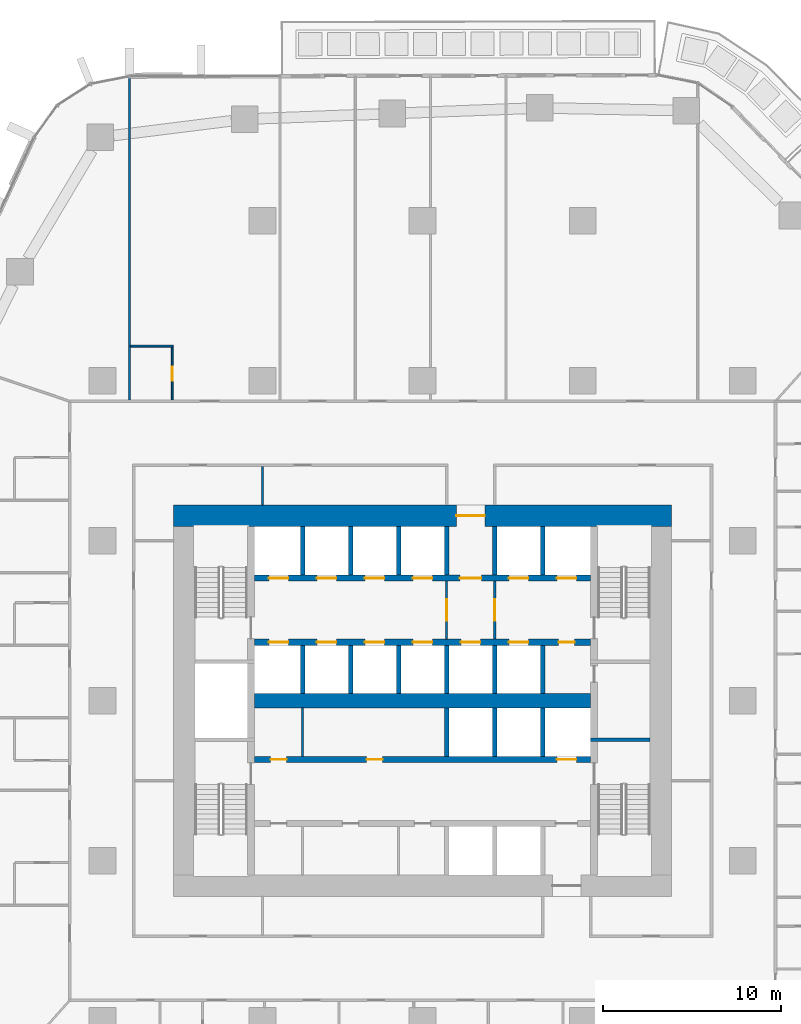
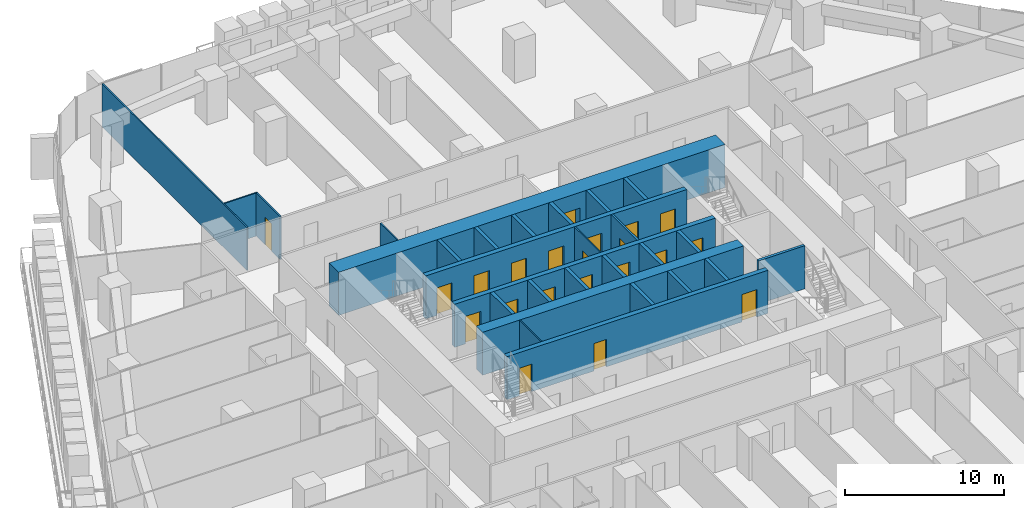
# One storey, part 16 of 27: 28 walls, 21 doors, 21 openings.
"""IFC4 building model written with IfcOpenShell, lengths in metres."""

from ifc_helpers import new_model, si_unit, direction, frame, frame_2d, origin, place, context, subcontext, project, spatial, rectangle, extrude, material, layer, layer_set, type_object, element, fill, save


model = new_model("IFC4")

# Units and contexts
model_context = context("Model", 3, precision=1e-05, world=origin(), true_north=direction((0.0, 1.0)))
body_context = subcontext(model_context, "Body", "Model", "MODEL_VIEW")
ifc_project = project(units=[si_unit("LENGTHUNIT", "METRE"), si_unit("AREAUNIT", "SQUARE_METRE"), si_unit("VOLUMEUNIT", "CUBIC_METRE"), si_unit("PLANEANGLEUNIT", "RADIAN"), si_unit("MASSUNIT", "GRAM", prefix="KILO")], contexts=[model_context])

# Site, building, storey
site_placement = place(None, origin())
site = spatial("IfcSite", under=ifc_project, at=site_placement, CompositionType="ELEMENT")
building_placement = place(site_placement, origin())
building = spatial("IfcBuilding", under=site, at=building_placement, Name="Dongbaek Canopy Tower", CompositionType="ELEMENT")
storey_placement = place(building_placement, frame((0.0, 0.0, 58.800048828125)))
storey = spatial("IfcBuildingStorey", under=building, at=storey_placement, Name="L10", CompositionType="ELEMENT", Elevation=58.800048828125)

# Wall
ifc_material_1 = material(Name="Concrete C60/75", Category="concrete")
ifc_layer_1 = layer(ifc_material_1, 0.800048828125)
ifc_layer_set_1 = layer_set([ifc_layer_1], Name="Core central wall 800 Concrete C60/75")
wall_type_1 = type_object("IfcWallType", Name="Core central wall 800 Concrete C60/75", PredefinedType="SHEAR", material=ifc_layer_set_1)
wall_1_placement = place(storey_placement, frame((-9.449951171875, 0.0, 0.0), z_axis=(0.0, 0.0, 1.0), x_axis=(1.0, 0.0, 0.0)))
element("IfcWall", 1, at=wall_1_placement, inside=storey, type_object=wall_type_1, Name="Core wall", PredefinedType="SHEAR", context=body_context, shape_type="SweptSolid", body=[
    extrude(rectangle(XDim=18.89990234375, YDim=0.800048828125, at=frame_2d((9.449951171875, 0.0))), origin(), (0.0, 0.0, 1.0), 3.300048828125),
])

# Wall, openings, doors
ifc_material_2 = material(Name="Concrete C60/75", Category="concrete")
ifc_layer_2 = layer(ifc_material_2, 0.35009765625)
ifc_layer_set_2 = layer_set([ifc_layer_2], Name="Core lobby wall 350 Concrete C60/75")
wall_type_2 = type_object("IfcWallType", Name="Core lobby wall 350 Concrete C60/75", PredefinedType="SHEAR", material=ifc_layer_set_2)
wall_2_placement = place(storey_placement, frame((-9.449951171875, 6.89990234375, 0.0), z_axis=(0.0, 0.0, 1.0), x_axis=(1.0, 0.0, 0.0)))
wall_2 = element("IfcWall", 2, at=wall_2_placement, inside=storey, type_object=wall_type_2, Name="Core wall", PredefinedType="SHEAR", context=body_context, shape_type="SweptSolid", body=[
    extrude(rectangle(XDim=18.89990234375, YDim=0.35009765625, at=frame_2d((9.449951171875, 0.0))), origin(), (0.0, 0.0, 1.0), 3.300048828125),
])
opening_1_placement = place(wall_2_placement, frame((0.800048828125, 0.0, 0.0)))
opening_1 = element("IfcOpeningElement", 3, at=opening_1_placement, cuts=wall_2, Name="Opening L10-D045", PredefinedType="OPENING", context=body_context, shape_type="SweptSolid", body=[
    extrude(rectangle(XDim=1.10009765625, YDim=2.10009765625, at=frame_2d((0.550048828125, 1.050048828125))), frame((0.0, 0.18505859375, 0.0), z_axis=(0.0, -1.0, 0.0), x_axis=(1.0, 0.0, 0.0)), (0.0, 0.0, 1.0), 0.3701171875),
])
opening_2_placement = place(wall_2_placement, frame((3.5, 0.0, 0.0)))
opening_2 = element("IfcOpeningElement", 4, at=opening_2_placement, cuts=wall_2, Name="Opening L10-D046", PredefinedType="OPENING", context=body_context, shape_type="SweptSolid", body=[
    extrude(rectangle(XDim=1.10009765625, YDim=2.10009765625, at=frame_2d((0.550048828125, 1.050048828125))), frame((0.0, 0.18505859375, 0.0), z_axis=(0.0, -1.0, 0.0), x_axis=(1.0, 0.0, 0.0)), (0.0, 0.0, 1.0), 0.3701171875),
])
opening_3_placement = place(wall_2_placement, frame((6.199951171875, 0.0, 0.0)))
opening_3 = element("IfcOpeningElement", 5, at=opening_3_placement, cuts=wall_2, Name="Opening L10-D047", PredefinedType="OPENING", context=body_context, shape_type="SweptSolid", body=[
    extrude(rectangle(XDim=1.10009765625, YDim=2.10009765625, at=frame_2d((0.550048828125, 1.050048828125))), frame((0.0, 0.18505859375, 0.0), z_axis=(0.0, -1.0, 0.0), x_axis=(1.0, 0.0, 0.0)), (0.0, 0.0, 1.0), 0.3701171875),
])
opening_4_placement = place(wall_2_placement, frame((8.89990234375, 0.0, 0.0)))
opening_4 = element("IfcOpeningElement", 6, at=opening_4_placement, cuts=wall_2, Name="Opening L10-D048", PredefinedType="OPENING", context=body_context, shape_type="SweptSolid", body=[
    extrude(rectangle(XDim=1.10009765625, YDim=2.10009765625, at=frame_2d((0.550048828125, 1.050048828125))), frame((0.0, 0.18505859375, 0.0), z_axis=(0.0, -1.0, 0.0), x_axis=(1.0, 0.0, 0.0)), (0.0, 0.0, 1.0), 0.3701171875),
])
opening_5_placement = place(wall_2_placement, frame((11.550048828125, 0.0, 0.0)))
opening_5 = element("IfcOpeningElement", 7, at=opening_5_placement, cuts=wall_2, Name="Opening L10-D050", PredefinedType="OPENING", context=body_context, shape_type="SweptSolid", body=[
    extrude(rectangle(XDim=1.199951171875, YDim=2.10009765625, at=frame_2d((0.60009765625, 1.050048828125))), frame((0.0, 0.18505859375, 0.0), z_axis=(0.0, -1.0, 0.0), x_axis=(1.0, 0.0, 0.0)), (0.0, 0.0, 1.0), 0.3701171875),
])
opening_6_placement = place(wall_2_placement, frame((14.300048828125, 0.0, 0.0)))
opening_6 = element("IfcOpeningElement", 8, at=opening_6_placement, cuts=wall_2, Name="Opening L10-D051", PredefinedType="OPENING", context=body_context, shape_type="SweptSolid", body=[
    extrude(rectangle(XDim=1.10009765625, YDim=2.10009765625, at=frame_2d((0.550048828125, 1.050048828125))), frame((0.0, 0.18505859375, 0.0), z_axis=(0.0, -1.0, 0.0), x_axis=(1.0, 0.0, 0.0)), (0.0, 0.0, 1.0), 0.3701171875),
])
opening_7_placement = place(wall_2_placement, frame((17.0, 0.0, 0.0)))
opening_7 = element("IfcOpeningElement", 9, at=opening_7_placement, cuts=wall_2, Name="Opening L10-D052", PredefinedType="OPENING", context=body_context, shape_type="SweptSolid", body=[
    extrude(rectangle(XDim=1.10009765625, YDim=2.10009765625, at=frame_2d((0.550048828125, 1.050048828125))), frame((0.0, 0.18505859375, 0.0), z_axis=(0.0, -1.0, 0.0), x_axis=(1.0, 0.0, 0.0)), (0.0, 0.0, 1.0), 0.3701171875),
])
ifc_material_3 = material(Name="Steel", Category="steel")
door_type_1 = type_object("IfcDoorType", Name="Fire lobby door 1200 x 2100", OperationType="SINGLE_SWING_LEFT", PredefinedType="DOOR", material=ifc_material_3)
door_1_placement = place(opening_5_placement, origin())
door_1 = element("IfcDoor", 10, at=door_1_placement, inside=storey, type_object=door_type_1, Name="Door L10-D050", OperationType="SINGLE_SWING_LEFT", OverallHeight=2.10009765625, OverallWidth=1.199951171875, PredefinedType="DOOR", context=body_context, shape_type="SweptSolid", body=[
    extrude(rectangle(XDim=1.199951171875, YDim=2.10009765625, at=frame_2d((0.60009765625, 1.050048828125))), frame((0.0, 0.02490234375, 0.0), z_axis=(0.0, -1.0, 0.0), x_axis=(1.0, 0.0, 0.0)), (0.0, 0.0, 1.0), 0.050048828125),
])
fill(opening_5, door_1)
ifc_material_4 = material(Name="Stainless steel", Category="steel")
door_type_2 = type_object("IfcDoorType", Name="Lift landing door 1100 x 2100", OperationType="DOUBLE_DOOR_SLIDING", PredefinedType="DOOR", material=ifc_material_4)
door_2_placement = place(opening_1_placement, origin())
door_2 = element("IfcDoor", 11, at=door_2_placement, inside=storey, type_object=door_type_2, Name="Landing door LR1", OperationType="DOUBLE_DOOR_SLIDING", OverallHeight=2.10009765625, OverallWidth=1.10009765625, PredefinedType="DOOR", context=body_context, shape_type="SweptSolid", body=[
    extrude(rectangle(XDim=1.10009765625, YDim=2.10009765625, at=frame_2d((0.550048828125, 1.050048828125))), frame((0.0, 0.02490234375, 0.0), z_axis=(0.0, -1.0, 0.0), x_axis=(1.0, 0.0, 0.0)), (0.0, 0.0, 1.0), 0.050048828125),
])
fill(opening_1, door_2)
door_3_placement = place(opening_2_placement, origin())
door_3 = element("IfcDoor", 12, at=door_3_placement, inside=storey, type_object=door_type_2, Name="Landing door LR2", OperationType="DOUBLE_DOOR_SLIDING", OverallHeight=2.10009765625, OverallWidth=1.10009765625, PredefinedType="DOOR", context=body_context, shape_type="SweptSolid", body=[
    extrude(rectangle(XDim=1.10009765625, YDim=2.10009765625, at=frame_2d((0.550048828125, 1.050048828125))), frame((0.0, 0.02490234375, 0.0), z_axis=(0.0, -1.0, 0.0), x_axis=(1.0, 0.0, 0.0)), (0.0, 0.0, 1.0), 0.050048828125),
])
fill(opening_2, door_3)
door_4_placement = place(opening_3_placement, origin())
door_4 = element("IfcDoor", 13, at=door_4_placement, inside=storey, type_object=door_type_2, Name="Landing door LR3", OperationType="DOUBLE_DOOR_SLIDING", OverallHeight=2.10009765625, OverallWidth=1.10009765625, PredefinedType="DOOR", context=body_context, shape_type="SweptSolid", body=[
    extrude(rectangle(XDim=1.10009765625, YDim=2.10009765625, at=frame_2d((0.550048828125, 1.050048828125))), frame((0.0, 0.02490234375, 0.0), z_axis=(0.0, -1.0, 0.0), x_axis=(1.0, 0.0, 0.0)), (0.0, 0.0, 1.0), 0.050048828125),
])
fill(opening_3, door_4)
door_5_placement = place(opening_4_placement, origin())
door_5 = element("IfcDoor", 14, at=door_5_placement, inside=storey, type_object=door_type_2, Name="Landing door LR4", OperationType="DOUBLE_DOOR_SLIDING", OverallHeight=2.10009765625, OverallWidth=1.10009765625, PredefinedType="DOOR", context=body_context, shape_type="SweptSolid", body=[
    extrude(rectangle(XDim=1.10009765625, YDim=2.10009765625, at=frame_2d((0.550048828125, 1.050048828125))), frame((0.0, 0.02490234375, 0.0), z_axis=(0.0, -1.0, 0.0), x_axis=(1.0, 0.0, 0.0)), (0.0, 0.0, 1.0), 0.050048828125),
])
fill(opening_4, door_5)
door_6_placement = place(opening_6_placement, origin())
door_6 = element("IfcDoor", 15, at=door_6_placement, inside=storey, type_object=door_type_2, Name="Landing door FF1", OperationType="DOUBLE_DOOR_SLIDING", OverallHeight=2.10009765625, OverallWidth=1.10009765625, PredefinedType="DOOR", context=body_context, shape_type="SweptSolid", body=[
    extrude(rectangle(XDim=1.10009765625, YDim=2.10009765625, at=frame_2d((0.550048828125, 1.050048828125))), frame((0.0, 0.02490234375, 0.0), z_axis=(0.0, -1.0, 0.0), x_axis=(1.0, 0.0, 0.0)), (0.0, 0.0, 1.0), 0.050048828125),
])
fill(opening_6, door_6)
door_7_placement = place(opening_7_placement, origin())
door_7 = element("IfcDoor", 16, at=door_7_placement, inside=storey, type_object=door_type_2, Name="Landing door FF2", OperationType="DOUBLE_DOOR_SLIDING", OverallHeight=2.10009765625, OverallWidth=1.10009765625, PredefinedType="DOOR", context=body_context, shape_type="SweptSolid", body=[
    extrude(rectangle(XDim=1.10009765625, YDim=2.10009765625, at=frame_2d((0.550048828125, 1.050048828125))), frame((0.0, 0.02490234375, 0.0), z_axis=(0.0, -1.0, 0.0), x_axis=(1.0, 0.0, 0.0)), (0.0, 0.0, 1.0), 0.050048828125),
])
fill(opening_7, door_7)

wall_3_placement = place(storey_placement, frame((9.449951171875, 3.300048828125, 0.0), z_axis=(0.0, 0.0, 1.0), x_axis=(-1.0, 0.0, 0.0)))
wall_3 = element("IfcWall", 17, at=wall_3_placement, inside=storey, type_object=wall_type_2, Name="Core wall", PredefinedType="SHEAR", context=body_context, shape_type="SweptSolid", body=[
    extrude(rectangle(XDim=18.89990234375, YDim=0.35009765625, at=frame_2d((9.449951171875, 0.0))), origin(), (0.0, 0.0, 1.0), 3.300048828125),
])
opening_8_placement = place(wall_3_placement, frame((17.0, 0.0, 0.0)))
opening_8 = element("IfcOpeningElement", 18, at=opening_8_placement, cuts=wall_3, Name="Opening L10-D053", PredefinedType="OPENING", context=body_context, shape_type="SweptSolid", body=[
    extrude(rectangle(XDim=1.10009765625, YDim=2.10009765625, at=frame_2d((0.550048828125, 1.050048828125))), frame((0.0, 0.18505859375, 0.0), z_axis=(0.0, -1.0, 0.0), x_axis=(1.0, 0.0, 0.0)), (0.0, 0.0, 1.0), 0.3701171875),
])
opening_9_placement = place(wall_3_placement, frame((14.300048828125, 0.0, 0.0)))
opening_9 = element("IfcOpeningElement", 19, at=opening_9_placement, cuts=wall_3, Name="Opening L10-D054", PredefinedType="OPENING", context=body_context, shape_type="SweptSolid", body=[
    extrude(rectangle(XDim=1.10009765625, YDim=2.10009765625, at=frame_2d((0.550048828125, 1.050048828125))), frame((0.0, 0.18505859375, 0.0), z_axis=(0.0, -1.0, 0.0), x_axis=(1.0, 0.0, 0.0)), (0.0, 0.0, 1.0), 0.3701171875),
])
opening_10_placement = place(wall_3_placement, frame((11.60009765625, 0.0, 0.0)))
opening_10 = element("IfcOpeningElement", 20, at=opening_10_placement, cuts=wall_3, Name="Opening L10-D055", PredefinedType="OPENING", context=body_context, shape_type="SweptSolid", body=[
    extrude(rectangle(XDim=1.10009765625, YDim=2.10009765625, at=frame_2d((0.550048828125, 1.050048828125))), frame((0.0, 0.18505859375, 0.0), z_axis=(0.0, -1.0, 0.0), x_axis=(1.0, 0.0, 0.0)), (0.0, 0.0, 1.0), 0.3701171875),
])
opening_11_placement = place(wall_3_placement, frame((8.89990234375, 0.0, 0.0)))
opening_11 = element("IfcOpeningElement", 21, at=opening_11_placement, cuts=wall_3, Name="Opening L10-D056", PredefinedType="OPENING", context=body_context, shape_type="SweptSolid", body=[
    extrude(rectangle(XDim=1.10009765625, YDim=2.10009765625, at=frame_2d((0.550048828125, 1.050048828125))), frame((0.0, 0.18505859375, 0.0), z_axis=(0.0, -1.0, 0.0), x_axis=(1.0, 0.0, 0.0)), (0.0, 0.0, 1.0), 0.3701171875),
])
opening_12_placement = place(wall_3_placement, frame((6.199951171875, 0.0, 0.0)))
opening_12 = element("IfcOpeningElement", 22, at=opening_12_placement, cuts=wall_3, Name="Opening L10-D057", PredefinedType="OPENING", context=body_context, shape_type="SweptSolid", body=[
    extrude(rectangle(XDim=1.10009765625, YDim=2.10009765625, at=frame_2d((0.550048828125, 1.050048828125))), frame((0.0, 0.18505859375, 0.0), z_axis=(0.0, -1.0, 0.0), x_axis=(1.0, 0.0, 0.0)), (0.0, 0.0, 1.0), 0.3701171875),
])
opening_13_placement = place(wall_3_placement, frame((3.5, 0.0, 0.0)))
opening_13 = element("IfcOpeningElement", 23, at=opening_13_placement, cuts=wall_3, Name="Opening L10-D058", PredefinedType="OPENING", context=body_context, shape_type="SweptSolid", body=[
    extrude(rectangle(XDim=1.10009765625, YDim=2.10009765625, at=frame_2d((0.550048828125, 1.050048828125))), frame((0.0, 0.18505859375, 0.0), z_axis=(0.0, -1.0, 0.0), x_axis=(1.0, 0.0, 0.0)), (0.0, 0.0, 1.0), 0.3701171875),
])
opening_14_placement = place(wall_3_placement, frame((0.89990234375, 0.0, 0.0)))
opening_14 = element("IfcOpeningElement", 24, at=opening_14_placement, cuts=wall_3, Name="Opening L10-D059", PredefinedType="OPENING", context=body_context, shape_type="SweptSolid", body=[
    extrude(rectangle(XDim=0.89990234375, YDim=2.10009765625, at=frame_2d((0.449951171875, 1.050048828125))), frame((0.0, 0.18505859375, 0.0), z_axis=(0.0, -1.0, 0.0), x_axis=(1.0, 0.0, 0.0)), (0.0, 0.0, 1.0), 0.3701171875),
])
ifc_material_5 = material(Name="Steel", Category="steel")
door_type_3 = type_object("IfcDoorType", Name="Core room door 900 x 2100", OperationType="SINGLE_SWING_LEFT", PredefinedType="DOOR", material=ifc_material_5)
door_8_placement = place(opening_14_placement, origin())
door_8 = element("IfcDoor", 25, at=door_8_placement, inside=storey, type_object=door_type_3, Name="Door L10-D059", OperationType="SINGLE_SWING_LEFT", OverallHeight=2.10009765625, OverallWidth=0.89990234375, PredefinedType="DOOR", context=body_context, shape_type="SweptSolid", body=[
    extrude(rectangle(XDim=0.89990234375, YDim=2.10009765625, at=frame_2d((0.449951171875, 1.050048828125))), frame((0.0, 0.02490234375, 0.0), z_axis=(0.0, -1.0, 0.0), x_axis=(1.0, 0.0, 0.0)), (0.0, 0.0, 1.0), 0.050048828125),
])
fill(opening_14, door_8)
door_9_placement = place(opening_8_placement, origin())
door_9 = element("IfcDoor", 26, at=door_9_placement, inside=storey, type_object=door_type_2, Name="Landing door LR5", OperationType="DOUBLE_DOOR_SLIDING", OverallHeight=2.10009765625, OverallWidth=1.10009765625, PredefinedType="DOOR", context=body_context, shape_type="SweptSolid", body=[
    extrude(rectangle(XDim=1.10009765625, YDim=2.10009765625, at=frame_2d((0.550048828125, 1.050048828125))), frame((0.0, 0.02490234375, 0.0), z_axis=(0.0, -1.0, 0.0), x_axis=(1.0, 0.0, 0.0)), (0.0, 0.0, 1.0), 0.050048828125),
])
fill(opening_8, door_9)
door_10_placement = place(opening_9_placement, origin())
door_10 = element("IfcDoor", 27, at=door_10_placement, inside=storey, type_object=door_type_2, Name="Landing door LR6", OperationType="DOUBLE_DOOR_SLIDING", OverallHeight=2.10009765625, OverallWidth=1.10009765625, PredefinedType="DOOR", context=body_context, shape_type="SweptSolid", body=[
    extrude(rectangle(XDim=1.10009765625, YDim=2.10009765625, at=frame_2d((0.550048828125, 1.050048828125))), frame((0.0, 0.02490234375, 0.0), z_axis=(0.0, -1.0, 0.0), x_axis=(1.0, 0.0, 0.0)), (0.0, 0.0, 1.0), 0.050048828125),
])
fill(opening_9, door_10)
door_11_placement = place(opening_10_placement, origin())
door_11 = element("IfcDoor", 28, at=door_11_placement, inside=storey, type_object=door_type_2, Name="Landing door LR7", OperationType="DOUBLE_DOOR_SLIDING", OverallHeight=2.10009765625, OverallWidth=1.10009765625, PredefinedType="DOOR", context=body_context, shape_type="SweptSolid", body=[
    extrude(rectangle(XDim=1.10009765625, YDim=2.10009765625, at=frame_2d((0.550048828125, 1.050048828125))), frame((0.0, 0.02490234375, 0.0), z_axis=(0.0, -1.0, 0.0), x_axis=(1.0, 0.0, 0.0)), (0.0, 0.0, 1.0), 0.050048828125),
])
fill(opening_10, door_11)
door_12_placement = place(opening_11_placement, origin())
door_12 = element("IfcDoor", 29, at=door_12_placement, inside=storey, type_object=door_type_2, Name="Landing door LR8", OperationType="DOUBLE_DOOR_SLIDING", OverallHeight=2.10009765625, OverallWidth=1.10009765625, PredefinedType="DOOR", context=body_context, shape_type="SweptSolid", body=[
    extrude(rectangle(XDim=1.10009765625, YDim=2.10009765625, at=frame_2d((0.550048828125, 1.050048828125))), frame((0.0, 0.02490234375, 0.0), z_axis=(0.0, -1.0, 0.0), x_axis=(1.0, 0.0, 0.0)), (0.0, 0.0, 1.0), 0.050048828125),
])
fill(opening_11, door_12)
door_13_placement = place(opening_12_placement, origin())
door_13 = element("IfcDoor", 30, at=door_13_placement, inside=storey, type_object=door_type_2, Name="Landing door SV1", OperationType="DOUBLE_DOOR_SLIDING", OverallHeight=2.10009765625, OverallWidth=1.10009765625, PredefinedType="DOOR", context=body_context, shape_type="SweptSolid", body=[
    extrude(rectangle(XDim=1.10009765625, YDim=2.10009765625, at=frame_2d((0.550048828125, 1.050048828125))), frame((0.0, 0.02490234375, 0.0), z_axis=(0.0, -1.0, 0.0), x_axis=(1.0, 0.0, 0.0)), (0.0, 0.0, 1.0), 0.050048828125),
])
fill(opening_12, door_13)
door_14_placement = place(opening_13_placement, origin())
door_14 = element("IfcDoor", 31, at=door_14_placement, inside=storey, type_object=door_type_2, Name="Landing door FF3", OperationType="DOUBLE_DOOR_SLIDING", OverallHeight=2.10009765625, OverallWidth=1.10009765625, PredefinedType="DOOR", context=body_context, shape_type="SweptSolid", body=[
    extrude(rectangle(XDim=1.10009765625, YDim=2.10009765625, at=frame_2d((0.550048828125, 1.050048828125))), frame((0.0, 0.02490234375, 0.0), z_axis=(0.0, -1.0, 0.0), x_axis=(1.0, 0.0, 0.0)), (0.0, 0.0, 1.0), 0.050048828125),
])
fill(opening_13, door_14)

wall_4_placement = place(storey_placement, frame((-9.449951171875, -3.300048828125, 0.0), z_axis=(0.0, 0.0, 1.0), x_axis=(1.0, 0.0, 0.0)))
wall_4 = element("IfcWall", 32, at=wall_4_placement, inside=storey, type_object=wall_type_2, Name="Core wall", PredefinedType="SHEAR", context=body_context, shape_type="SweptSolid", body=[
    extrude(rectangle(XDim=18.89990234375, YDim=0.35009765625, at=frame_2d((9.449951171875, 0.0))), origin(), (0.0, 0.0, 1.0), 3.300048828125),
])
opening_15_placement = place(wall_4_placement, frame((17.0, 0.0, 0.0)))
opening_15 = element("IfcOpeningElement", 33, at=opening_15_placement, cuts=wall_4, Name="Opening L10-D060", PredefinedType="OPENING", context=body_context, shape_type="SweptSolid", body=[
    extrude(rectangle(XDim=1.10009765625, YDim=2.10009765625, at=frame_2d((0.550048828125, 1.050048828125))), frame((0.0, 0.18505859375, 0.0), z_axis=(0.0, -1.0, 0.0), x_axis=(1.0, 0.0, 0.0)), (0.0, 0.0, 1.0), 0.3701171875),
])
opening_16_placement = place(wall_4_placement, frame((0.89990234375, 0.0, 0.0)))
opening_16 = element("IfcOpeningElement", 34, at=opening_16_placement, cuts=wall_4, Name="Opening L10-D063", PredefinedType="OPENING", context=body_context, shape_type="SweptSolid", body=[
    extrude(rectangle(XDim=0.89990234375, YDim=2.10009765625, at=frame_2d((0.449951171875, 1.050048828125))), frame((0.0, 0.18505859375, 0.0), z_axis=(0.0, -1.0, 0.0), x_axis=(1.0, 0.0, 0.0)), (0.0, 0.0, 1.0), 0.3701171875),
])
opening_17_placement = place(wall_4_placement, frame((6.300048828125, 0.0, 0.0)))
opening_17 = element("IfcOpeningElement", 35, at=opening_17_placement, cuts=wall_4, Name="Opening L10-D064", PredefinedType="OPENING", context=body_context, shape_type="SweptSolid", body=[
    extrude(rectangle(XDim=0.89990234375, YDim=2.10009765625, at=frame_2d((0.449951171875, 1.050048828125))), frame((0.0, 0.18505859375, 0.0), z_axis=(0.0, -1.0, 0.0), x_axis=(1.0, 0.0, 0.0)), (0.0, 0.0, 1.0), 0.3701171875),
])
door_15_placement = place(opening_16_placement, origin())
door_15 = element("IfcDoor", 36, at=door_15_placement, inside=storey, type_object=door_type_3, Name="Door L10-D063", OperationType="SINGLE_SWING_RIGHT", OverallHeight=2.10009765625, OverallWidth=0.89990234375, PredefinedType="DOOR", context=body_context, shape_type="SweptSolid", body=[
    extrude(rectangle(XDim=0.89990234375, YDim=2.10009765625, at=frame_2d((0.449951171875, 1.050048828125))), frame((0.0, 0.02490234375, 0.0), z_axis=(0.0, -1.0, 0.0), x_axis=(1.0, 0.0, 0.0)), (0.0, 0.0, 1.0), 0.050048828125),
])
fill(opening_16, door_15)
door_16_placement = place(opening_17_placement, origin())
door_16 = element("IfcDoor", 37, at=door_16_placement, inside=storey, type_object=door_type_3, Name="Door L10-D064", OperationType="SINGLE_SWING_LEFT", OverallHeight=2.10009765625, OverallWidth=0.89990234375, PredefinedType="DOOR", context=body_context, shape_type="SweptSolid", body=[
    extrude(rectangle(XDim=0.89990234375, YDim=2.10009765625, at=frame_2d((0.449951171875, 1.050048828125))), frame((0.0, 0.02490234375, 0.0), z_axis=(0.0, -1.0, 0.0), x_axis=(1.0, 0.0, 0.0)), (0.0, 0.0, 1.0), 0.050048828125),
])
fill(opening_17, door_16)
door_17_placement = place(opening_15_placement, origin())
door_17 = element("IfcDoor", 38, at=door_17_placement, inside=storey, type_object=door_type_2, Name="Landing door SV2", OperationType="DOUBLE_DOOR_SLIDING", OverallHeight=2.10009765625, OverallWidth=1.10009765625, PredefinedType="DOOR", context=body_context, shape_type="SweptSolid", body=[
    extrude(rectangle(XDim=1.10009765625, YDim=2.10009765625, at=frame_2d((0.550048828125, 1.050048828125))), frame((0.0, 0.02490234375, 0.0), z_axis=(0.0, -1.0, 0.0), x_axis=(1.0, 0.0, 0.0)), (0.0, 0.0, 1.0), 0.050048828125),
])
fill(opening_15, door_17)

# Wall, opening, door
ifc_material_6 = material(Name="Concrete C60/75", Category="concrete")
ifc_layer_3 = layer(ifc_material_6, 1.199951171875)
ifc_layer_set_3 = layer_set([ifc_layer_3], Name="Core outer wall 1200 Concrete C60/75")
wall_type_3 = type_object("IfcWallType", Name="Core outer wall 1200 Concrete C60/75", PredefinedType="SHEAR", material=ifc_layer_set_3)
wall_5_placement = place(storey_placement, frame((-14.0, 10.39990234375, 0.0), z_axis=(0.0, 0.0, 1.0), x_axis=(1.0, 0.0, 0.0)))
wall_5 = element("IfcWall", 39, at=wall_5_placement, inside=storey, type_object=wall_type_3, Name="Core wall", PredefinedType="SHEAR", context=body_context, shape_type="SweptSolid", body=[
    extrude(rectangle(XDim=28.0, YDim=1.199951171875, at=frame_2d((14.0, 0.0))), origin(), (0.0, 0.0, 1.0), 3.300048828125),
])
opening_18_placement = place(wall_5_placement, frame((15.89990234375, 0.0, 0.0)))
opening_18 = element("IfcOpeningElement", 40, at=opening_18_placement, cuts=wall_5, Name="Opening L10-D049", PredefinedType="OPENING", context=body_context, shape_type="SweptSolid", body=[
    extrude(rectangle(XDim=1.60009765625, YDim=2.10009765625, at=frame_2d((0.800048828125, 1.050048828125))), frame((0.0, 0.60986328125, 0.0), z_axis=(0.0, -1.0, 0.0), x_axis=(1.0, 0.0, 0.0)), (0.0, 0.0, 1.0), 1.219970703125),
])
ifc_material_7 = material(Name="Steel", Category="steel")
door_type_4 = type_object("IfcDoorType", Name="Core exit door 1600 x 2100", OperationType="DOUBLE_DOOR_SINGLE_SWING", PredefinedType="DOOR", material=ifc_material_7)
door_18_placement = place(opening_18_placement, origin())
door_18 = element("IfcDoor", 41, at=door_18_placement, inside=storey, type_object=door_type_4, Name="Core exit door", OperationType="DOUBLE_DOOR_SINGLE_SWING", OverallHeight=2.10009765625, OverallWidth=1.60009765625, PredefinedType="DOOR", context=body_context, shape_type="SweptSolid", body=[
    extrude(rectangle(XDim=1.60009765625, YDim=2.10009765625, at=frame_2d((0.800048828125, 1.050048828125))), frame((0.0, 0.02490234375, 0.0), z_axis=(0.0, -1.0, 0.0), x_axis=(1.0, 0.0, 0.0)), (0.0, 0.0, 1.0), 0.050048828125),
])
fill(opening_18, door_18)

ifc_material_8 = material(Name="Gypsum board partition, steel stud, 2 x 15 mm fire board", Category="steel")
ifc_layer_4 = layer(ifc_material_8, 0.14990234375)
ifc_layer_set_4 = layer_set([ifc_layer_4], Name="Fire-rated partition 150 gypsum board")
wall_type_4 = type_object("IfcWallType", Name="Fire-rated partition 150 gypsum board", PredefinedType="PARTITIONING", material=ifc_layer_set_4)
wall_6_placement = place(storey_placement, frame((4.050048828125, 6.72509765625, 0.0), z_axis=(0.0, 0.0, 1.0), x_axis=(0.0, -1.0, 0.0)))
wall_6 = element("IfcWall", 42, at=wall_6_placement, inside=storey, type_object=wall_type_4, Name="Fire lobby partition", PredefinedType="PARTITIONING", context=body_context, shape_type="SweptSolid", body=[
    extrude(rectangle(XDim=3.25, YDim=0.14990234375, at=frame_2d((1.625, 0.0))), origin(), (0.0, 0.0, 1.0), 3.300048828125),
])
opening_19_placement = place(wall_6_placement, frame((1.02490234375, 0.0, 0.0)))
opening_19 = element("IfcOpeningElement", 43, at=opening_19_placement, cuts=wall_6, Name="Opening L10-D073", PredefinedType="OPENING", context=body_context, shape_type="SweptSolid", body=[
    extrude(rectangle(XDim=1.199951171875, YDim=2.10009765625, at=frame_2d((0.60009765625, 1.050048828125))), frame((0.0, 0.0849609375, 0.0), z_axis=(0.0, -1.0, 0.0), x_axis=(1.0, 0.0, 0.0)), (0.0, 0.0, 1.0), 0.169921875),
])
door_19_placement = place(opening_19_placement, origin())
door_19 = element("IfcDoor", 44, at=door_19_placement, inside=storey, type_object=door_type_1, Name="Door L10-D073", OperationType="SINGLE_SWING_RIGHT", OverallHeight=2.10009765625, OverallWidth=1.199951171875, PredefinedType="DOOR", context=body_context, shape_type="SweptSolid", body=[
    extrude(rectangle(XDim=1.199951171875, YDim=2.10009765625, at=frame_2d((0.60009765625, 1.050048828125))), frame((0.0, 0.02490234375, 0.0), z_axis=(0.0, -1.0, 0.0), x_axis=(1.0, 0.0, 0.0)), (0.0, 0.0, 1.0), 0.050048828125),
])
fill(opening_19, door_19)

# Walls
ifc_material_9 = material(Name="Concrete C40/50", Category="concrete")
ifc_layer_5 = layer(ifc_material_9, 0.25)
ifc_layer_set_5 = layer_set([ifc_layer_5], Name="Lift shaft wall 250 Concrete C40/50")
wall_type_5 = type_object("IfcWallType", Name="Lift shaft wall 250 Concrete C40/50", PredefinedType="SOLIDWALL", material=ifc_layer_set_5)
for number, where, z_axis, x_axis, name in (
    (45, (6.75, -3.125, 0.0), (0.0, 0.0, 1.0), (0.0, 1.0, 0.0), "Lift shaft wall"),
    (46, (6.75, 0.39990234375, 0.0), (0.0, 0.0, 1.0), (0.0, 1.0, 0.0), "Lift shaft wall"),
    (47, (6.75, 7.074951171875, 0.0), (0.0, 0.0, 1.0), (0.0, 1.0, 0.0), "Lift shaft wall"),
    (48, (4.050048828125, -3.125, 0.0), (0.0, 0.0, 1.0), (0.0, 1.0, 0.0), "Lift shaft wall"),
    (49, (4.050048828125, 0.39990234375, 0.0), (0.0, 0.0, 1.0), (0.0, 1.0, 0.0), "Lift shaft wall"),
    (50, (4.050048828125, 7.074951171875, 0.0), (0.0, 0.0, 1.0), (0.0, 1.0, 0.0), "Lift shaft wall"),
    (51, (1.35009765625, -3.125, 0.0), (0.0, 0.0, 1.0), (0.0, 1.0, 0.0), "Lift shaft wall"),
    (52, (1.35009765625, 0.39990234375, 0.0), (0.0, 0.0, 1.0), (0.0, 1.0, 0.0), "Lift shaft wall"),
    (53, (1.35009765625, 7.074951171875, 0.0), (0.0, 0.0, 1.0), (0.0, 1.0, 0.0), "Lift shaft wall"),
    (54, (-1.35009765625, 0.39990234375, 0.0), (0.0, 0.0, 1.0), (0.0, 1.0, 0.0), "Lift shaft wall"),
    (55, (-1.35009765625, 7.074951171875, 0.0), (0.0, 0.0, 1.0), (0.0, 1.0, 0.0), "Lift shaft wall"),
    (56, (-4.050048828125, 0.39990234375, 0.0), (0.0, 0.0, 1.0), (0.0, 1.0, 0.0), "Lift shaft wall"),
    (57, (-4.050048828125, 7.074951171875, 0.0), (0.0, 0.0, 1.0), (0.0, 1.0, 0.0), "Lift shaft wall"),
    (58, (-6.75, 0.39990234375, 0.0), (0.0, 0.0, 1.0), (0.0, 1.0, 0.0), "Lift shaft wall"),
    (59, (-6.75, 7.074951171875, 0.0), (0.0, 0.0, 1.0), (0.0, 1.0, 0.0), "Lift shaft wall"),
):
    element("IfcWall", number, at=place(storey_placement, frame(where, z_axis=z_axis, x_axis=x_axis)), inside=storey, type_object=wall_type_5, Name=name, PredefinedType="SOLIDWALL", context=body_context, shape_type="SweptSolid", body=[
        extrude(rectangle(XDim=2.72509765625, YDim=0.25, at=frame_2d((1.362548828125, 0.0))), origin(), (0.0, 0.0, 1.0), 3.300048828125),
    ])
ifc_material_10 = material(Name="Gypsum board partition, steel stud, 2 x 12.5 mm board", Category="steel")
ifc_layer_6 = layer(ifc_material_10, 0.10009765625)
ifc_layer_set_6 = layer_set([ifc_layer_6], Name="Partition 100 gypsum board")
wall_type_6 = type_object("IfcWallType", Name="Partition 100 gypsum board", PredefinedType="PARTITIONING", material=ifc_layer_set_6)
wall_7_placement = place(storey_placement, frame((-16.43603515625, 19.949951171875, 0.0), z_axis=(0.0, 0.0, 1.0), x_axis=(1.0, 0.0, 0.0)))
element("IfcWall", 60, at=wall_7_placement, inside=storey, type_object=wall_type_6, Name="Partition", PredefinedType="PARTITIONING", context=body_context, shape_type="SweptSolid", body=[
    extrude(rectangle(XDim=2.400146484375, YDim=0.10009765625, at=frame_2d((1.2001953125, 0.0))), origin(), (0.0, 0.0, 1.0), 3.300048828125),
])
wall_8_placement = place(storey_placement, frame((-9.0, 11.0, 0.0), z_axis=(0.0, 0.0, 1.0), x_axis=(0.0, 1.0, 0.0)))
element("IfcWall", 61, at=wall_8_placement, inside=storey, type_object=wall_type_6, Name="Partition", PredefinedType="PARTITIONING", context=body_context, shape_type="SweptSolid", body=[
    extrude(rectangle(XDim=2.175048828125, YDim=0.10009765625, at=frame_2d((1.08740234375, 0.0))), origin(), (0.0, 0.0, 1.0), 3.300048828125),
])

# Wall, opening, door
wall_9_placement = place(storey_placement, frame((-14.0859375, 16.925048828125, 0.0), z_axis=(0.0, 0.0, 1.0), x_axis=(0.0, 1.0, 0.0)))
wall_9 = element("IfcWall", 62, at=wall_9_placement, inside=storey, type_object=wall_type_6, Name="Partition", PredefinedType="PARTITIONING", context=body_context, shape_type="SweptSolid", body=[
    extrude(rectangle(XDim=2.974853515625, YDim=0.10009765625, at=frame_2d((1.4873046875, 0.0))), origin(), (0.0, 0.0, 1.0), 3.300048828125),
])
opening_20_placement = place(wall_9_placement, frame((1.074951171875, 0.0, 0.0)))
opening_20 = element("IfcOpeningElement", 63, at=opening_20_placement, cuts=wall_9, Name="Opening L10-D029", PredefinedType="OPENING", context=body_context, shape_type="SweptSolid", body=[
    extrude(rectangle(XDim=0.800048828125, YDim=2.10009765625, at=frame_2d((0.39990234375, 1.050048828125))), frame((0.0, 0.06005859375, 0.0), z_axis=(0.0, -1.0, 0.0), x_axis=(1.0, 0.0, 0.0)), (0.0, 0.0, 1.0), 0.1201171875),
])
ifc_material_11 = material(Name="Timber veneered door leaf", Category="wood")
door_type_5 = type_object("IfcDoorType", Name="En-suite door 800 x 2100", OperationType="SINGLE_SWING_LEFT", PredefinedType="DOOR", material=ifc_material_11)
door_20_placement = place(opening_20_placement, origin())
door_20 = element("IfcDoor", 64, at=door_20_placement, inside=storey, type_object=door_type_5, Name="Door L10-D029", OperationType="SINGLE_SWING_RIGHT", OverallHeight=2.10009765625, OverallWidth=0.800048828125, PredefinedType="DOOR", context=body_context, shape_type="SweptSolid", body=[
    extrude(rectangle(XDim=0.800048828125, YDim=2.10009765625, at=frame_2d((0.39990234375, 1.050048828125))), frame((0.0, 0.02490234375, 0.0), z_axis=(0.0, -1.0, 0.0), x_axis=(1.0, 0.0, 0.0)), (0.0, 0.0, 1.0), 0.050048828125),
])
fill(opening_20, door_20)

# Wall
wall_10_placement = place(storey_placement, frame((-16.486083984375, 16.925048828125, 0.0), z_axis=(0.0, 0.0, 1.0), x_axis=(0.0, 1.0, 0.0)))
element("IfcWall", 65, at=wall_10_placement, inside=storey, type_object=wall_type_6, Name="Partition", PredefinedType="PARTITIONING", context=body_context, shape_type="SweptSolid", body=[
    extrude(rectangle(XDim=18.168212890625, YDim=0.10009765625, at=frame_2d((9.083984375, 0.0))), origin(), (0.0, 0.0, 1.0), 3.300048828125),
])

# Wall, opening, door
wall_11_placement = place(storey_placement, frame((1.35009765625, 6.72509765625, 0.0), z_axis=(0.0, 0.0, 1.0), x_axis=(0.0, -1.0, 0.0)))
wall_11 = element("IfcWall", 66, at=wall_11_placement, inside=storey, type_object=wall_type_6, Name="Core partition", PredefinedType="PARTITIONING", context=body_context, shape_type="SweptSolid", body=[
    extrude(rectangle(XDim=3.25, YDim=0.10009765625, at=frame_2d((1.625, 0.0))), origin(), (0.0, 0.0, 1.0), 3.300048828125),
])
opening_21_placement = place(wall_11_placement, frame((1.02490234375, 0.0, 0.0)))
opening_21 = element("IfcOpeningElement", 67, at=opening_21_placement, cuts=wall_11, Name="Opening L10-D072", PredefinedType="OPENING", context=body_context, shape_type="SweptSolid", body=[
    extrude(rectangle(XDim=1.199951171875, YDim=2.10009765625, at=frame_2d((0.60009765625, 1.050048828125))), frame((0.0, 0.06005859375, 0.0), z_axis=(0.0, -1.0, 0.0), x_axis=(1.0, 0.0, 0.0)), (0.0, 0.0, 1.0), 0.1201171875),
])
door_21_placement = place(opening_21_placement, origin())
door_21 = element("IfcDoor", 68, at=door_21_placement, inside=storey, type_object=door_type_1, Name="Door L10-D072", OperationType="SINGLE_SWING_LEFT", OverallHeight=2.10009765625, OverallWidth=1.199951171875, PredefinedType="DOOR", context=body_context, shape_type="SweptSolid", body=[
    extrude(rectangle(XDim=1.199951171875, YDim=2.10009765625, at=frame_2d((0.60009765625, 1.050048828125))), frame((0.0, 0.02490234375, 0.0), z_axis=(0.0, -1.0, 0.0), x_axis=(1.0, 0.0, 0.0)), (0.0, 0.0, 1.0), 0.050048828125),
])
fill(opening_21, door_21)

# Walls
wall_12_placement = place(storey_placement, frame((-6.75, -3.125, 0.0), z_axis=(0.0, 0.0, 1.0), x_axis=(0.0, 1.0, 0.0)))
element("IfcWall", 69, at=wall_12_placement, inside=storey, type_object=wall_type_6, Name="Core partition", PredefinedType="PARTITIONING", context=body_context, shape_type="SweptSolid", body=[
    extrude(rectangle(XDim=2.72509765625, YDim=0.10009765625, at=frame_2d((1.362548828125, 0.0))), origin(), (0.0, 0.0, 1.0), 3.300048828125),
])
ifc_material_12 = material(Name="Concrete C60/75", Category="concrete")
ifc_layer_7 = layer(ifc_material_12, 0.199951171875)
ifc_layer_set_7 = layer_set([ifc_layer_7], Name="Riser wall 200 Concrete C60/75")
wall_type_7 = type_object("IfcWallType", Name="Riser wall 200 Concrete C60/75", PredefinedType="SHEAR", material=ifc_layer_set_7)
wall_13_placement = place(storey_placement, frame((9.449951171875, -2.199951171875, 0.0), z_axis=(0.0, 0.0, 1.0), x_axis=(1.0, 0.0, 0.0)))
element("IfcWall", 70, at=wall_13_placement, inside=storey, type_object=wall_type_7, Name="Riser wall", PredefinedType="SHEAR", context=body_context, shape_type="SweptSolid", body=[
    extrude(rectangle(XDim=3.35009765625, YDim=0.199951171875, at=frame_2d((1.675048828125, 0.0))), origin(), (0.0, 0.0, 1.0), 3.300048828125),
])

save(model, "model.ifc")
